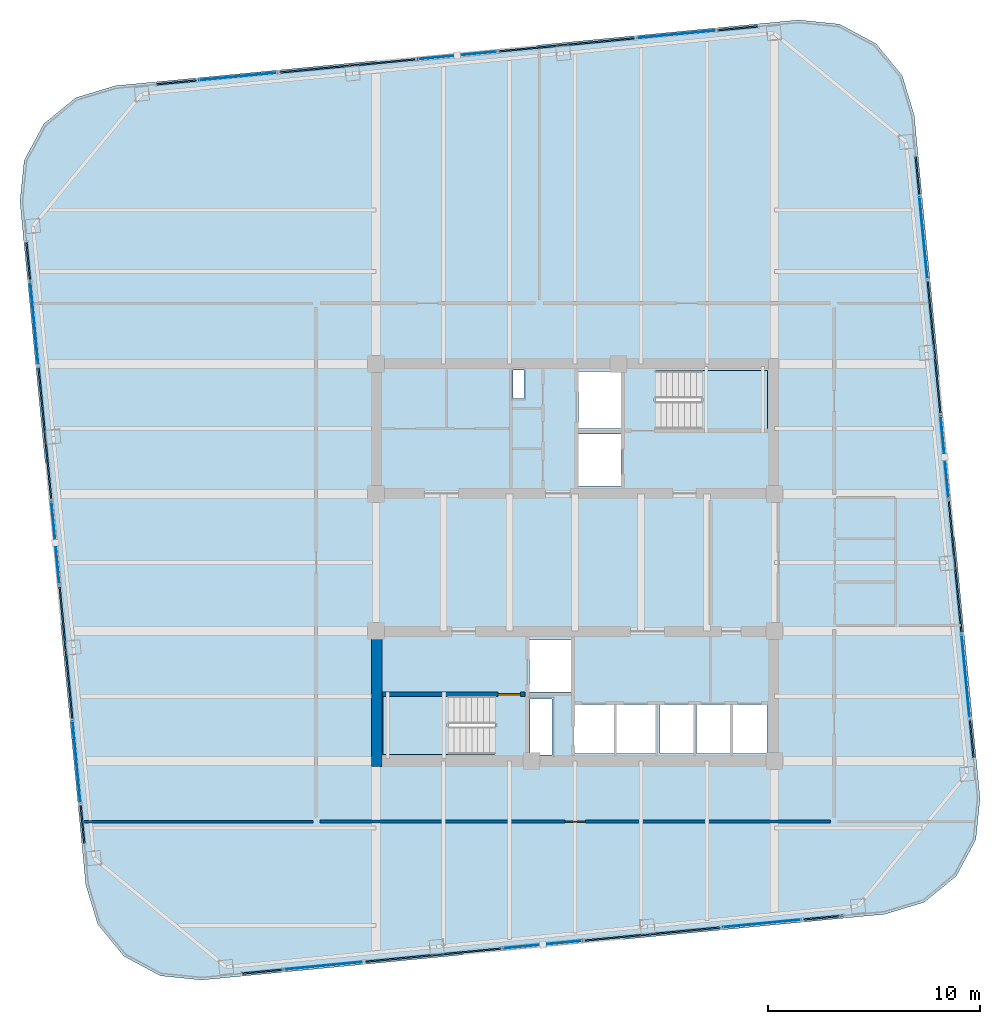
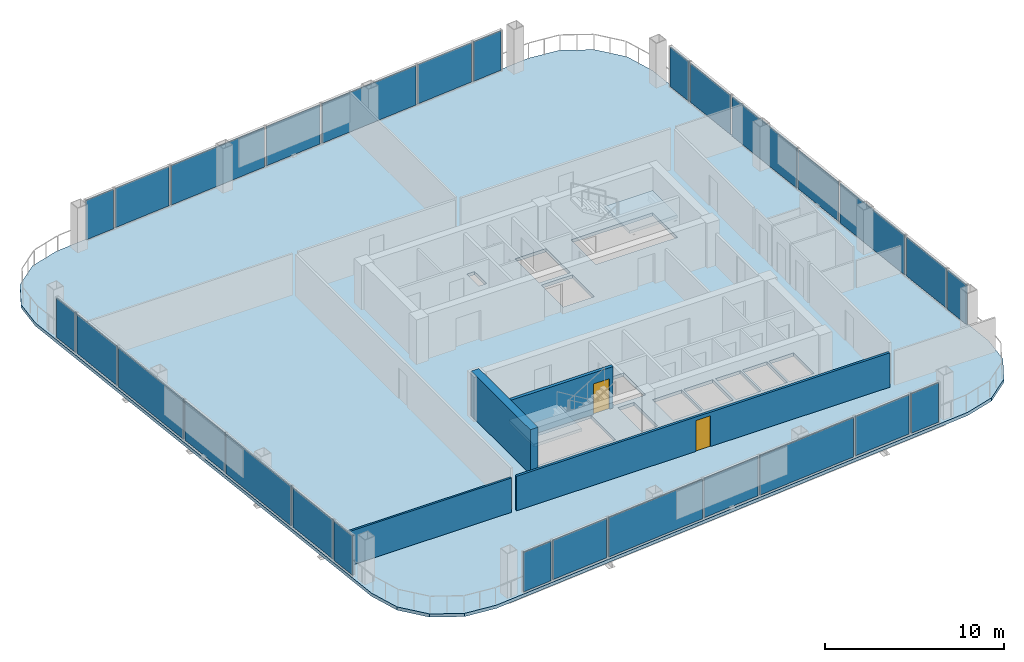
# One storey, part 16 of 21: 28 plates, 4 walls, 3 slabs, 2 doors, 2 openings, 30 elements without a shape of their own.
"""IFC4 building model written with IfcOpenShell, lengths in metres."""

from ifc_helpers import new_model, si_unit, direction, frame, frame_2d, origin, origin_2d, place, context, subcontext, project, spatial, polyline, rectangle, outline, extrude, material, layer, layer_set, type_object, element, fill, aggregate, save


model = new_model("IFC4")

# Units and contexts
model_context = context("Model", 3, precision=1e-05, world=origin(), true_north=direction((0.0, 1.0)))
body_context = subcontext(model_context, "Body", "Model", "MODEL_VIEW")
ifc_project = project(units=[si_unit("LENGTHUNIT", "METRE"), si_unit("AREAUNIT", "SQUARE_METRE"), si_unit("VOLUMEUNIT", "CUBIC_METRE"), si_unit("PLANEANGLEUNIT", "RADIAN"), si_unit("MASSUNIT", "GRAM", prefix="KILO")], contexts=[model_context])

# Site, building, storey
site_placement = place(None, origin())
site = spatial("IfcSite", under=ifc_project, at=site_placement, CompositionType="ELEMENT")
building_placement = place(site_placement, origin())
building = spatial("IfcBuilding", under=site, at=building_placement, Name="Qhalaya Broadcast Tower", CompositionType="ELEMENT")
storey_placement = place(building_placement, frame((0.0, 0.0, 162.25)))
storey = spatial("IfcBuildingStorey", under=building, at=storey_placement, Name="L47", CompositionType="ELEMENT", Elevation=162.25)

# Curtain wall, plate
ifc_material_1 = material(Name="Fired Architectural Terracotta", Category="masonry")
ifc_layer_1 = layer(ifc_material_1, 0.219970703125, Name="Fired Architectural Terracotta")
ifc_layer_set_1 = layer_set([ifc_layer_1], Name="Fired Architectural Terracotta")
curtain_wall_type_1 = type_object("IfcCurtainWallType", Name="Block-Cap Unitised Terracotta Spandrel Wall CW-07", PredefinedType="NOTDEFINED", material=ifc_layer_set_1)
curtain_wall_1_placement = place(storey_placement, origin())
curtain_wall_1 = element("IfcCurtainWall", 1, at=curtain_wall_1_placement, inside=storey, type_object=curtain_wall_type_1, Name="L47 Unitised Curtain Wall L47-CW-S1", PredefinedType="NOTDEFINED")
ifc_layer_2 = layer(ifc_material_1, 0.080078125, Name="Fired Architectural Terracotta")
ifc_layer_set_2 = layer_set([ifc_layer_2], Name="Fired Architectural Terracotta")
plate_type_1 = type_object("IfcPlateType", Name="Insulated Terracotta Spandrel Panel TSP-07", PredefinedType="CURTAIN_PANEL", material=ifc_layer_set_2)
plate_1_placement = place(storey_placement, frame((-14.751708984375, -18.666748046875, 0.0751953125), z_axis=(0.0, 0.0, 1.0), x_axis=(0.995396068977, 0.095847096282, 0.0)))
plate_1 = element("IfcPlate", 2, at=plate_1_placement, type_object=plate_type_1, Name="CW-07 panel 1.1", PredefinedType="CURTAIN_PANEL", context=body_context, shape_type="SweptSolid", body=[
    extrude(rectangle(XDim=1.873046875, YDim=0.080078125, at=origin_2d()), origin(), (0.0, 0.0, 1.0), 2.679931640625),
])
aggregate(curtain_wall_1, [plate_1])

curtain_wall_2_placement = place(storey_placement, origin())
curtain_wall_2 = element("IfcCurtainWall", 3, at=curtain_wall_2_placement, inside=storey, type_object=curtain_wall_type_1, Name="L47 Unitised Curtain Wall L47-CW-S3", PredefinedType="NOTDEFINED")
plate_2_placement = place(storey_placement, frame((-6.683837890625, -17.89013671875, 0.0751953125), z_axis=(0.0, 0.0, 1.0), x_axis=(0.995396395442, 0.095843705796, 0.0)))
plate_2 = element("IfcPlate", 4, at=plate_2_placement, type_object=plate_type_1, Name="CW-07 panel 1.1", PredefinedType="CURTAIN_PANEL", context=body_context, shape_type="SweptSolid", body=[
    extrude(rectangle(XDim=6.39501953125, YDim=0.080078125, at=origin_2d()), origin(), (0.0, 0.0, 1.0), 2.679931640625),
])
aggregate(curtain_wall_2, [plate_2])

curtain_wall_3_placement = place(storey_placement, origin())
curtain_wall_3 = element("IfcCurtainWall", 5, at=curtain_wall_3_placement, inside=storey, type_object=curtain_wall_type_1, Name="L47 Unitised Curtain Wall L47-CW-S5", PredefinedType="NOTDEFINED")
plate_3_placement = place(storey_placement, frame((3.63525390625, -16.896240234375, 0.0751953125), z_axis=(0.0, 0.0, 1.0), x_axis=(0.995396255089, 0.095845163439, 0.0)))
plate_3 = element("IfcPlate", 6, at=plate_3_placement, type_object=plate_type_1, Name="CW-07 panel 1.1", PredefinedType="CURTAIN_PANEL", context=body_context, shape_type="SweptSolid", body=[
    extrude(rectangle(XDim=6.39501953125, YDim=0.080078125, at=origin_2d()), origin(), (0.0, 0.0, 1.0), 2.679931640625),
])
aggregate(curtain_wall_3, [plate_3])

curtain_wall_4_placement = place(storey_placement, origin())
curtain_wall_4 = element("IfcCurtainWall", 7, at=curtain_wall_4_placement, inside=storey, type_object=curtain_wall_type_1, Name="L47 Unitised Curtain Wall L47-CW-S7", PredefinedType="NOTDEFINED")
plate_4_placement = place(storey_placement, frame((11.702880859375, -16.11962890625, 0.0751953125), z_axis=(0.0, 0.0, 1.0), x_axis=(0.995396068977, 0.095847096282, 0.0)))
plate_4 = element("IfcPlate", 8, at=plate_4_placement, type_object=plate_type_1, Name="CW-07 panel 1.1", PredefinedType="CURTAIN_PANEL", context=body_context, shape_type="SweptSolid", body=[
    extrude(rectangle(XDim=1.873046875, YDim=0.080078125, at=origin_2d()), origin(), (0.0, 0.0, 1.0), 2.679931640625),
])
aggregate(curtain_wall_4, [plate_4])

curtain_wall_5_placement = place(storey_placement, origin())
curtain_wall_5 = element("IfcCurtainWall", 9, at=curtain_wall_5_placement, inside=storey, type_object=curtain_wall_type_1, Name="L47 Unitised Curtain Wall L47-CW-E1", PredefinedType="NOTDEFINED")
plate_5_placement = place(storey_placement, frame((18.671142578125, -7.716552734375, 0.0751953125), z_axis=(0.0, 0.0, 1.0), x_axis=(-0.095861254071, 0.995394705616, 0.0)))
plate_5 = element("IfcPlate", 10, at=plate_5_placement, type_object=plate_type_1, Name="CW-07 panel 1.1", PredefinedType="CURTAIN_PANEL", context=body_context, shape_type="SweptSolid", body=[
    extrude(rectangle(XDim=1.782958984375, YDim=0.080078125, at=origin_2d()), origin(), (0.0, 0.0, 1.0), 2.679931640625),
])
aggregate(curtain_wall_5, [plate_5])

curtain_wall_6_placement = place(storey_placement, origin())
curtain_wall_6 = element("IfcCurtainWall", 11, at=curtain_wall_6_placement, inside=storey, type_object=curtain_wall_type_1, Name="L47 Unitised Curtain Wall L47-CW-E3", PredefinedType="NOTDEFINED")
plate_6_placement = place(storey_placement, frame((17.889892578125, 0.39599609375, 0.0751953125), z_axis=(0.0, 0.0, 1.0), x_axis=(-0.095836642528, 0.995397075518, 0.0)))
plate_6 = element("IfcPlate", 12, at=plate_6_placement, type_object=plate_type_1, Name="CW-07 panel 1.1", PredefinedType="CURTAIN_PANEL", context=body_context, shape_type="SweptSolid", body=[
    extrude(rectangle(XDim=6.215087890625, YDim=0.080078125, at=origin_2d()), origin(), (0.0, 0.0, 1.0), 2.679931640625),
])
aggregate(curtain_wall_6, [plate_6])

curtain_wall_7_placement = place(storey_placement, origin())
curtain_wall_7 = element("IfcCurtainWall", 13, at=curtain_wall_7_placement, inside=storey, type_object=curtain_wall_type_1, Name="L47 Unitised Curtain Wall L47-CW-E5", PredefinedType="NOTDEFINED")
plate_7_placement = place(storey_placement, frame((16.896240234375, 10.71533203125, 0.0751953125), z_axis=(0.0, 0.0, 1.0), x_axis=(-0.095853708125, 0.995395432297, 0.0)))
plate_7 = element("IfcPlate", 14, at=plate_7_placement, type_object=plate_type_1, Name="CW-07 panel 1.1", PredefinedType="CURTAIN_PANEL", context=body_context, shape_type="SweptSolid", body=[
    extrude(rectangle(XDim=6.21484375, YDim=0.080078125, at=origin_2d()), origin(), (0.0, 0.0, 1.0), 2.679931640625),
])
aggregate(curtain_wall_7, [plate_7])

curtain_wall_8_placement = place(storey_placement, origin())
curtain_wall_8 = element("IfcCurtainWall", 15, at=curtain_wall_8_placement, inside=storey, type_object=curtain_wall_type_1, Name="L47 Unitised Curtain Wall L47-CW-E7", PredefinedType="NOTDEFINED")
plate_8_placement = place(storey_placement, frame((16.115234375, 18.82763671875, 0.0751953125), z_axis=(0.0, 0.0, 1.0), x_axis=(-0.095861254071, 0.995394705616, 0.0)))
plate_8 = element("IfcPlate", 16, at=plate_8_placement, type_object=plate_type_1, Name="CW-07 panel 1.1", PredefinedType="CURTAIN_PANEL", context=body_context, shape_type="SweptSolid", body=[
    extrude(rectangle(XDim=1.782958984375, YDim=0.080078125, at=origin_2d()), origin(), (0.0, 0.0, 1.0), 2.679931640625),
])
aggregate(curtain_wall_8, [plate_8])

curtain_wall_9_placement = place(storey_placement, origin())
curtain_wall_9 = element("IfcCurtainWall", 17, at=curtain_wall_9_placement, inside=storey, type_object=curtain_wall_type_1, Name="L47 Unitised Curtain Wall L47-CW-N1", PredefinedType="NOTDEFINED")
plate_9_placement = place(storey_placement, frame((7.671630859375, 25.746826171875, 0.0751953125), z_axis=(0.0, 0.0, 1.0), x_axis=(-0.995396068977, -0.095847096282, 0.0)))
plate_9 = element("IfcPlate", 18, at=plate_9_placement, type_object=plate_type_1, Name="CW-07 panel 1.1", PredefinedType="CURTAIN_PANEL", context=body_context, shape_type="SweptSolid", body=[
    extrude(rectangle(XDim=1.873046875, YDim=0.080078125, at=origin_2d()), origin(), (0.0, 0.0, 1.0), 2.679931640625),
])
aggregate(curtain_wall_9, [plate_9])

curtain_wall_10_placement = place(storey_placement, origin())
curtain_wall_10 = element("IfcCurtainWall", 19, at=curtain_wall_10_placement, inside=storey, type_object=curtain_wall_type_1, Name="L47 Unitised Curtain Wall L47-CW-N3", PredefinedType="NOTDEFINED")
plate_10_placement = place(storey_placement, frame((-0.39599609375, 24.969970703125, 0.0751953125), z_axis=(0.0, 0.0, 1.0), x_axis=(-0.995396395442, -0.095843705796, 0.0)))
plate_10 = element("IfcPlate", 20, at=plate_10_placement, type_object=plate_type_1, Name="CW-07 panel 1.1", PredefinedType="CURTAIN_PANEL", context=body_context, shape_type="SweptSolid", body=[
    extrude(rectangle(XDim=6.39501953125, YDim=0.080078125, at=origin_2d()), origin(), (0.0, 0.0, 1.0), 2.679931640625),
])
aggregate(curtain_wall_10, [plate_10])

curtain_wall_11_placement = place(storey_placement, origin())
curtain_wall_11 = element("IfcCurtainWall", 21, at=curtain_wall_11_placement, inside=storey, type_object=curtain_wall_type_1, Name="L47 Unitised Curtain Wall L47-CW-N5", PredefinedType="NOTDEFINED")
plate_11_placement = place(storey_placement, frame((-10.71533203125, 23.976318359375, 0.0751953125), z_axis=(0.0, 0.0, 1.0), x_axis=(-0.995396255089, -0.095845163439, 0.0)))
plate_11 = element("IfcPlate", 22, at=plate_11_placement, type_object=plate_type_1, Name="CW-07 panel 1.1", PredefinedType="CURTAIN_PANEL", context=body_context, shape_type="SweptSolid", body=[
    extrude(rectangle(XDim=6.39501953125, YDim=0.080078125, at=origin_2d()), origin(), (0.0, 0.0, 1.0), 2.679931640625),
])
aggregate(curtain_wall_11, [plate_11])

curtain_wall_12_placement = place(storey_placement, origin())
curtain_wall_12 = element("IfcCurtainWall", 23, at=curtain_wall_12_placement, inside=storey, type_object=curtain_wall_type_1, Name="L47 Unitised Curtain Wall L47-CW-N7", PredefinedType="NOTDEFINED")
plate_12_placement = place(storey_placement, frame((-18.782958984375, 23.199462890625, 0.0751953125), z_axis=(0.0, 0.0, 1.0), x_axis=(-0.995396068977, -0.095847096282, 0.0)))
plate_12 = element("IfcPlate", 24, at=plate_12_placement, type_object=plate_type_1, Name="CW-07 panel 1.1", PredefinedType="CURTAIN_PANEL", context=body_context, shape_type="SweptSolid", body=[
    extrude(rectangle(XDim=1.873046875, YDim=0.080078125, at=origin_2d()), origin(), (0.0, 0.0, 1.0), 2.679931640625),
])
aggregate(curtain_wall_12, [plate_12])

curtain_wall_13_placement = place(storey_placement, origin())
curtain_wall_13 = element("IfcCurtainWall", 25, at=curtain_wall_13_placement, inside=storey, type_object=curtain_wall_type_1, Name="L47 Unitised Curtain Wall L47-CW-W1", PredefinedType="NOTDEFINED")
plate_13_placement = place(storey_placement, frame((-25.751220703125, 14.79638671875, 0.0751953125), z_axis=(0.0, 0.0, 1.0), x_axis=(0.095861254071, -0.995394705616, 0.0)))
plate_13 = element("IfcPlate", 26, at=plate_13_placement, type_object=plate_type_1, Name="CW-07 panel 1.1", PredefinedType="CURTAIN_PANEL", context=body_context, shape_type="SweptSolid", body=[
    extrude(rectangle(XDim=1.782958984375, YDim=0.080078125, at=origin_2d()), origin(), (0.0, 0.0, 1.0), 2.679931640625),
])
aggregate(curtain_wall_13, [plate_13])

curtain_wall_14_placement = place(storey_placement, origin())
curtain_wall_14 = element("IfcCurtainWall", 27, at=curtain_wall_14_placement, inside=storey, type_object=curtain_wall_type_1, Name="L47 Unitised Curtain Wall L47-CW-W3", PredefinedType="NOTDEFINED")
plate_14_placement = place(storey_placement, frame((-24.969970703125, 6.683837890625, 0.0751953125), z_axis=(0.0, 0.0, 1.0), x_axis=(0.095836642528, -0.995397075518, 0.0)))
plate_14 = element("IfcPlate", 28, at=plate_14_placement, type_object=plate_type_1, Name="CW-07 panel 1.1", PredefinedType="CURTAIN_PANEL", context=body_context, shape_type="SweptSolid", body=[
    extrude(rectangle(XDim=6.215087890625, YDim=0.080078125, at=origin_2d()), origin(), (0.0, 0.0, 1.0), 2.679931640625),
])
aggregate(curtain_wall_14, [plate_14])

curtain_wall_15_placement = place(storey_placement, origin())
curtain_wall_15 = element("IfcCurtainWall", 29, at=curtain_wall_15_placement, inside=storey, type_object=curtain_wall_type_1, Name="L47 Unitised Curtain Wall L47-CW-W5", PredefinedType="NOTDEFINED")
plate_15_placement = place(storey_placement, frame((-23.976318359375, -3.63525390625, 0.0751953125), z_axis=(0.0, 0.0, 1.0), x_axis=(0.095853708125, -0.995395432297, 0.0)))
plate_15 = element("IfcPlate", 30, at=plate_15_placement, type_object=plate_type_1, Name="CW-07 panel 1.1", PredefinedType="CURTAIN_PANEL", context=body_context, shape_type="SweptSolid", body=[
    extrude(rectangle(XDim=6.21484375, YDim=0.080078125, at=origin_2d()), origin(), (0.0, 0.0, 1.0), 2.679931640625),
])
aggregate(curtain_wall_15, [plate_15])

curtain_wall_16_placement = place(storey_placement, origin())
curtain_wall_16 = element("IfcCurtainWall", 31, at=curtain_wall_16_placement, inside=storey, type_object=curtain_wall_type_1, Name="L47 Unitised Curtain Wall L47-CW-W7", PredefinedType="NOTDEFINED")
plate_16_placement = place(storey_placement, frame((-23.1953125, -11.747802734375, 0.0751953125), z_axis=(0.0, 0.0, 1.0), x_axis=(0.095861254071, -0.995394705616, 0.0)))
plate_16 = element("IfcPlate", 32, at=plate_16_placement, type_object=plate_type_1, Name="CW-07 panel 1.1", PredefinedType="CURTAIN_PANEL", context=body_context, shape_type="SweptSolid", body=[
    extrude(rectangle(XDim=1.782958984375, YDim=0.080078125, at=origin_2d()), origin(), (0.0, 0.0, 1.0), 2.679931640625),
])
aggregate(curtain_wall_16, [plate_16])

ifc_material_2 = material(Name="Solar-Control Low-E Triple Glazing", Category="glass")
ifc_layer_3 = layer(ifc_material_2, 0.219970703125, Name="Solar-Control Low-E Triple Glazing")
ifc_layer_set_3 = layer_set([ifc_layer_3], Name="Solar-Control Low-E Triple Glazing")
curtain_wall_type_2 = type_object("IfcCurtainWallType", Name="Even-Block 4-Storey Double-Module Curtain Wall CW-03", PredefinedType="NOTDEFINED", material=ifc_layer_set_3)
curtain_wall_17_placement = place(storey_placement, origin())
curtain_wall_17 = element("IfcCurtainWall", 33, at=curtain_wall_17_placement, inside=storey, type_object=curtain_wall_type_2, Name="L47 Unitised Curtain Wall L47-CW-S2", PredefinedType="NOTDEFINED")
ifc_layer_4 = layer(ifc_material_2, 0.035888671875, Name="Solar-Control Low-E Triple Glazing")
ifc_layer_set_4 = layer_set([ifc_layer_4], Name="Solar-Control Low-E Triple Glazing")
plate_type_2 = type_object("IfcPlateType", Name="Solar-Control Curtain Glazing Panel GLP-03", PredefinedType="CURTAIN_PANEL", material=ifc_layer_set_4)
plate_17_placement = place(storey_placement, frame((-11.843017578125, -18.38671875, 0.0751953125), z_axis=(0.0, 0.0, 1.0), x_axis=(0.995396841683, 0.095839071198, 0.0)))
plate_17 = element("IfcPlate", 34, at=plate_17_placement, type_object=plate_type_2, Name="CW-03 panel 1.1", PredefinedType="CURTAIN_PANEL", context=body_context, shape_type="SweptSolid", body=[
    extrude(rectangle(XDim=3.6708984375, YDim=0.035888671875, at=origin_2d()), origin(), (0.0, 0.0, 1.0), 2.679931640625),
])
aggregate(curtain_wall_17, [plate_17])

curtain_wall_18_placement = place(storey_placement, origin())
curtain_wall_18 = element("IfcCurtainWall", 35, at=curtain_wall_18_placement, inside=storey, type_object=curtain_wall_type_2, Name="L47 Unitised Curtain Wall L47-CW-S4", PredefinedType="NOTDEFINED")
plate_18_placement = place(storey_placement, frame((-1.5244140625, -17.393310546875, 0.0751953125), z_axis=(0.0, 0.0, 1.0), x_axis=(0.995394252506, 0.095865958916, 0.0)))
plate_18 = element("IfcPlate", 36, at=plate_18_placement, type_object=plate_type_2, Name="CW-03 panel 1.1", PredefinedType="CURTAIN_PANEL", context=body_context, shape_type="SweptSolid", body=[
    extrude(rectangle(XDim=3.672119140625, YDim=0.035888671875, at=origin_2d()), origin(), (0.0, 0.0, 1.0), 2.679931640625),
])
aggregate(curtain_wall_18, [plate_18])

curtain_wall_19_placement = place(storey_placement, origin())
curtain_wall_19 = element("IfcCurtainWall", 37, at=curtain_wall_19_placement, inside=storey, type_object=curtain_wall_type_2, Name="L47 Unitised Curtain Wall L47-CW-S6", PredefinedType="NOTDEFINED")
plate_19_placement = place(storey_placement, frame((8.79443359375, -16.399658203125, 0.0751953125), z_axis=(0.0, 0.0, 1.0), x_axis=(0.995396841683, 0.095839071198, 0.0)))
plate_19 = element("IfcPlate", 38, at=plate_19_placement, type_object=plate_type_2, Name="CW-03 panel 1.1", PredefinedType="CURTAIN_PANEL", context=body_context, shape_type="SweptSolid", body=[
    extrude(rectangle(XDim=3.6708984375, YDim=0.035888671875, at=origin_2d()), origin(), (0.0, 0.0, 1.0), 2.679931640625),
])
aggregate(curtain_wall_19, [plate_19])

curtain_wall_20_placement = place(storey_placement, origin())
curtain_wall_20 = element("IfcCurtainWall", 39, at=curtain_wall_20_placement, inside=storey, type_object=curtain_wall_type_2, Name="L47 Unitised Curtain Wall L47-CW-E2", PredefinedType="NOTDEFINED")
plate_20_placement = place(storey_placement, frame((18.38671875, -4.76318359375, 0.0751953125), z_axis=(0.0, 0.0, 1.0), x_axis=(-0.095850516284, 0.995395739657, 0.0)))
plate_20 = element("IfcPlate", 40, at=plate_20_placement, type_object=plate_type_2, Name="CW-03 panel 1.1", PredefinedType="CURTAIN_PANEL", context=body_context, shape_type="SweptSolid", body=[
    extrude(rectangle(XDim=3.85107421875, YDim=0.035888671875, at=origin_2d()), origin(), (0.0, 0.0, 1.0), 2.679931640625),
])
aggregate(curtain_wall_20, [plate_20])

curtain_wall_21_placement = place(storey_placement, origin())
curtain_wall_21 = element("IfcCurtainWall", 41, at=curtain_wall_21_placement, inside=storey, type_object=curtain_wall_type_2, Name="L47 Unitised Curtain Wall L47-CW-E4", PredefinedType="NOTDEFINED")
plate_21_placement = place(storey_placement, frame((17.393310546875, 5.5556640625, 0.0751953125), z_axis=(0.0, 0.0, 1.0), x_axis=(-0.095851433835, 0.995395651302, 0.0)))
plate_21 = element("IfcPlate", 42, at=plate_21_placement, type_object=plate_type_2, Name="CW-03 panel 1.1", PredefinedType="CURTAIN_PANEL", context=body_context, shape_type="SweptSolid", body=[
    extrude(rectangle(XDim=3.85205078125, YDim=0.035888671875, at=origin_2d()), origin(), (0.0, 0.0, 1.0), 2.679931640625),
])
aggregate(curtain_wall_21, [plate_21])

curtain_wall_22_placement = place(storey_placement, origin())
curtain_wall_22 = element("IfcCurtainWall", 43, at=curtain_wall_22_placement, inside=storey, type_object=curtain_wall_type_2, Name="L47 Unitised Curtain Wall L47-CW-E6", PredefinedType="NOTDEFINED")
plate_22_placement = place(storey_placement, frame((16.399658203125, 15.87451171875, 0.0751953125), z_axis=(0.0, 0.0, 1.0), x_axis=(-0.095825752198, 0.995398123976, 0.0)))
plate_22 = element("IfcPlate", 44, at=plate_22_placement, type_object=plate_type_2, Name="CW-03 panel 1.1", PredefinedType="CURTAIN_PANEL", context=body_context, shape_type="SweptSolid", body=[
    extrude(rectangle(XDim=3.85107421875, YDim=0.035888671875, at=origin_2d()), origin(), (0.0, 0.0, 1.0), 2.679931640625),
])
aggregate(curtain_wall_22, [plate_22])

curtain_wall_23_placement = place(storey_placement, origin())
curtain_wall_23 = element("IfcCurtainWall", 45, at=curtain_wall_23_placement, inside=storey, type_object=curtain_wall_type_2, Name="L47 Unitised Curtain Wall L47-CW-N2", PredefinedType="NOTDEFINED")
plate_23_placement = place(storey_placement, frame((4.76318359375, 25.466796875, 0.0751953125), z_axis=(0.0, 0.0, 1.0), x_axis=(-0.995396841683, -0.095839071198, 0.0)))
plate_23 = element("IfcPlate", 46, at=plate_23_placement, type_object=plate_type_2, Name="CW-03 panel 1.1", PredefinedType="CURTAIN_PANEL", context=body_context, shape_type="SweptSolid", body=[
    extrude(rectangle(XDim=3.6708984375, YDim=0.035888671875, at=origin_2d()), origin(), (0.0, 0.0, 1.0), 2.679931640625),
])
aggregate(curtain_wall_23, [plate_23])

curtain_wall_24_placement = place(storey_placement, origin())
curtain_wall_24 = element("IfcCurtainWall", 47, at=curtain_wall_24_placement, inside=storey, type_object=curtain_wall_type_2, Name="L47 Unitised Curtain Wall L47-CW-N4", PredefinedType="NOTDEFINED")
plate_24_placement = place(storey_placement, frame((-5.5556640625, 24.47314453125, 0.0751953125), z_axis=(0.0, 0.0, 1.0), x_axis=(-0.995394252506, -0.095865958916, 0.0)))
plate_24 = element("IfcPlate", 48, at=plate_24_placement, type_object=plate_type_2, Name="CW-03 panel 1.1", PredefinedType="CURTAIN_PANEL", context=body_context, shape_type="SweptSolid", body=[
    extrude(rectangle(XDim=3.672119140625, YDim=0.035888671875, at=origin_2d()), origin(), (0.0, 0.0, 1.0), 2.679931640625),
])
aggregate(curtain_wall_24, [plate_24])

curtain_wall_25_placement = place(storey_placement, origin())
curtain_wall_25 = element("IfcCurtainWall", 49, at=curtain_wall_25_placement, inside=storey, type_object=curtain_wall_type_2, Name="L47 Unitised Curtain Wall L47-CW-N6", PredefinedType="NOTDEFINED")
plate_25_placement = place(storey_placement, frame((-15.87451171875, 23.4794921875, 0.0751953125), z_axis=(0.0, 0.0, 1.0), x_axis=(-0.995396841683, -0.095839071198, 0.0)))
plate_25 = element("IfcPlate", 50, at=plate_25_placement, type_object=plate_type_2, Name="CW-03 panel 1.1", PredefinedType="CURTAIN_PANEL", context=body_context, shape_type="SweptSolid", body=[
    extrude(rectangle(XDim=3.6708984375, YDim=0.035888671875, at=origin_2d()), origin(), (0.0, 0.0, 1.0), 2.679931640625),
])
aggregate(curtain_wall_25, [plate_25])

curtain_wall_26_placement = place(storey_placement, origin())
curtain_wall_26 = element("IfcCurtainWall", 51, at=curtain_wall_26_placement, inside=storey, type_object=curtain_wall_type_2, Name="L47 Unitised Curtain Wall L47-CW-W2", PredefinedType="NOTDEFINED")
plate_26_placement = place(storey_placement, frame((-25.466796875, 11.843017578125, 0.0751953125), z_axis=(0.0, 0.0, 1.0), x_axis=(0.095850516284, -0.995395739657, 0.0)))
plate_26 = element("IfcPlate", 52, at=plate_26_placement, type_object=plate_type_2, Name="CW-03 panel 1.1", PredefinedType="CURTAIN_PANEL", context=body_context, shape_type="SweptSolid", body=[
    extrude(rectangle(XDim=3.85107421875, YDim=0.035888671875, at=origin_2d()), origin(), (0.0, 0.0, 1.0), 2.679931640625),
])
aggregate(curtain_wall_26, [plate_26])

curtain_wall_27_placement = place(storey_placement, origin())
curtain_wall_27 = element("IfcCurtainWall", 53, at=curtain_wall_27_placement, inside=storey, type_object=curtain_wall_type_2, Name="L47 Unitised Curtain Wall L47-CW-W4", PredefinedType="NOTDEFINED")
plate_27_placement = place(storey_placement, frame((-24.47314453125, 1.5244140625, 0.0751953125), z_axis=(0.0, 0.0, 1.0), x_axis=(0.095851433835, -0.995395651302, 0.0)))
plate_27 = element("IfcPlate", 54, at=plate_27_placement, type_object=plate_type_2, Name="CW-03 panel 1.1", PredefinedType="CURTAIN_PANEL", context=body_context, shape_type="SweptSolid", body=[
    extrude(rectangle(XDim=3.85205078125, YDim=0.035888671875, at=origin_2d()), origin(), (0.0, 0.0, 1.0), 2.679931640625),
])
aggregate(curtain_wall_27, [plate_27])

curtain_wall_28_placement = place(storey_placement, origin())
curtain_wall_28 = element("IfcCurtainWall", 55, at=curtain_wall_28_placement, inside=storey, type_object=curtain_wall_type_2, Name="L47 Unitised Curtain Wall L47-CW-W6", PredefinedType="NOTDEFINED")
plate_28_placement = place(storey_placement, frame((-23.4794921875, -8.79443359375, 0.0751953125), z_axis=(0.0, 0.0, 1.0), x_axis=(0.095825752198, -0.995398123976, 0.0)))
plate_28 = element("IfcPlate", 56, at=plate_28_placement, type_object=plate_type_2, Name="CW-03 panel 1.1", PredefinedType="CURTAIN_PANEL", context=body_context, shape_type="SweptSolid", body=[
    extrude(rectangle(XDim=3.85107421875, YDim=0.035888671875, at=origin_2d()), origin(), (0.0, 0.0, 1.0), 2.679931640625),
])
aggregate(curtain_wall_28, [plate_28])

# Stair, slab
ifc_material_3 = material(Name="Concrete C40/50", Category="concrete")
stair_type = type_object("IfcStairType", Name="Protected Dogleg Core Stair 3150", PredefinedType="TWO_STRAIGHT_RUN_STAIR", material=ifc_material_3)
stair_1_placement = place(storey_placement, origin())
stair_1 = element("IfcStair", 57, at=stair_1_placement, inside=storey, type_object=stair_type, Name="L47 North Core Exit Stair ST-1", PredefinedType="TWO_STRAIGHT_RUN_STAIR")
ifc_layer_5 = layer(ifc_material_3, 0.199951171875, Name="Concrete C40/50")
ifc_layer_set_5 = layer_set([ifc_layer_5], Name="Concrete C40/50")
slab_type_1 = type_object("IfcSlabType", Name="Stair & Ramp Half-Landing Slab 200", PredefinedType="LANDING", material=ifc_layer_set_5)
slab_1_placement = place(storey_placement, frame((0.0, 0.0, 1.324951171875)))
slab_1 = element("IfcSlab", 58, at=slab_1_placement, type_object=slab_type_1, Name="ST-1 landing 1", PredefinedType="LANDING", context=body_context, shape_type="SweptSolid", body=[
    extrude(outline(polyline([(5.955078125, 6.8798828125), (9.050048828125, 6.8798828125), (9.050048828125, 9.639892578125), (5.955078125, 9.639892578125), (5.955078125, 6.8798828125)])), origin(), (0.0, 0.0, 1.0), 0.199951171875),
])
aggregate(stair_1, [slab_1])

stair_2_placement = place(storey_placement, origin())
stair_2 = element("IfcStair", 59, at=stair_2_placement, inside=storey, type_object=stair_type, Name="L47 South Core Exit Stair ST-2", PredefinedType="TWO_STRAIGHT_RUN_STAIR")
slab_2_placement = place(storey_placement, frame((0.0, 0.0, 1.324951171875)))
slab_2 = element("IfcSlab", 60, at=slab_2_placement, type_object=slab_type_1, Name="ST-2 landing 1", PredefinedType="LANDING", context=body_context, shape_type="SweptSolid", body=[
    extrude(outline(polyline([(-5.955078125, -5.679931640625), (-9.050048828125, -5.679931640625), (-9.050048828125, -8.43994140625), (-5.955078125, -8.43994140625), (-5.955078125, -5.679931640625)])), origin(), (0.0, 0.0, 1.0), 0.199951171875),
])
aggregate(stair_2, [slab_2])

# Slab
ifc_layer_6 = layer(ifc_material_3, 0.219970703125, Name="Concrete C40/50")
ifc_layer_set_6 = layer_set([ifc_layer_6], Name="Concrete C40/50")
slab_type_2 = type_object("IfcSlabType", Name="Tower Composite Floor Slab 220", PredefinedType="FLOOR", material=ifc_layer_set_6)
slab_3_placement = place(storey_placement, frame((0.0, 0.0, -0.219970703125)))
element("IfcSlab", 61, at=slab_3_placement, inside=storey, type_object=slab_type_2, Name="L47 Main Structural Floor Slab", PredefinedType="FLOOR", context=body_context, shape_type="SweptSolid", body=[
    extrude(outline(polyline([(14.562744140625, -15.964599609375), (16.430908203125, -15.402587890625), (17.941650390625, -14.168212890625), (18.864990234375, -12.44970703125), (19.060546875, -10.508544921875), (15.964599609375, 21.642822265625), (15.402587890625, 23.510986328125), (14.168212890625, 25.021728515625), (12.44970703125, 25.945068359375), (10.508544921875, 26.140380859375), (-21.642822265625, 23.044677734375), (-23.510986328125, 22.482421875), (-25.021728515625, 21.248046875), (-25.945068359375, 19.529541015625), (-26.140380859375, 17.58837890625), (-23.044677734375, -14.562744140625), (-22.482421875, -16.430908203125), (-21.248046875, -17.941650390625), (-19.529541015625, -18.864990234375), (-17.58837890625, -19.060546875), (14.562744140625, -15.964599609375)]), holes=[polyline([(3.784912109375, 9.639892578125), (9.050048828125, 9.639892578125), (9.050048828125, 6.8798828125), (3.784912109375, 6.8798828125), (3.784912109375, 9.639892578125)]), polyline([(-3.784912109375, -8.43994140625), (-9.050048828125, -8.43994140625), (-9.050048828125, -5.679931640625), (-3.784912109375, -5.679931640625), (-3.784912109375, -8.43994140625)]), polyline([(0.14990234375, 6.64990234375), (2.14990234375, 6.64990234375), (2.14990234375, 4.199951171875), (0.14990234375, 4.199951171875), (0.14990234375, 6.64990234375)]), polyline([(0.14990234375, 9.60009765625), (2.14990234375, 9.60009765625), (2.14990234375, 6.89990234375), (0.14990234375, 6.89990234375), (0.14990234375, 9.60009765625)]), polyline([(-2.14990234375, -3.050048828125), (-0.14990234375, -3.050048828125), (-0.14990234375, -5.5), (-2.14990234375, -5.5), (-2.14990234375, -3.050048828125)]), polyline([(-0.050048828125, -6.10009765625), (1.830078125, -6.10009765625), (1.830078125, -8.39990234375), (-0.050048828125, -8.39990234375), (-0.050048828125, -6.10009765625)]), polyline([(1.949951171875, -6.10009765625), (3.830078125, -6.10009765625), (3.830078125, -8.39990234375), (1.949951171875, -8.39990234375), (1.949951171875, -6.10009765625)]), polyline([(4.0, -6.10009765625), (5.60009765625, -6.10009765625), (5.60009765625, -8.39990234375), (4.0, -8.39990234375), (4.0, -6.10009765625)]), polyline([(5.719970703125, -6.10009765625), (7.320068359375, -6.10009765625), (7.320068359375, -8.39990234375), (5.719970703125, -8.39990234375), (5.719970703125, -6.10009765625)]), polyline([(7.43994140625, -6.10009765625), (9.0400390625, -6.10009765625), (9.0400390625, -8.39990234375), (7.43994140625, -8.39990234375), (7.43994140625, -6.10009765625)]), polyline([(-2.919921875, 9.659912109375), (-2.419921875, 9.659912109375), (-2.419921875, 8.320068359375), (-2.919921875, 8.320068359375), (-2.919921875, 9.659912109375)]), polyline([(-2.1201171875, -5.820068359375), (-1.080078125, -5.820068359375), (-1.080078125, -8.4599609375), (-2.1201171875, -8.4599609375), (-2.1201171875, -5.820068359375)])]), origin(), (0.0, 0.0, 1.0), 0.219970703125),
])

# Wall, opening, door
ifc_material_4 = material(Name="Gypsum Acoustic Partition")
ifc_layer_7 = layer(ifc_material_4, 0.14990234375, Name="Gypsum Acoustic Partition")
ifc_layer_set_7 = layer_set([ifc_layer_7], Name="Gypsum Acoustic Partition")
wall_type_1 = type_object("IfcWallType", Name="Corridor & Tenancy Acoustic Partition 150", PredefinedType="PARTITIONING", material=ifc_layer_set_7)
wall_1_placement = place(storey_placement, frame((-12.02001953125, -11.60009765625, 0.0), z_axis=(0.0, 0.0, 1.0), x_axis=(1.0, 0.0, 0.0)))
wall_1 = element("IfcWall", 62, at=wall_1_placement, inside=storey, type_object=wall_type_1, Name="L47 Partition Wall W-COR-03", PredefinedType="PARTITIONING", context=body_context, shape_type="SweptSolid", body=[
    extrude(rectangle(XDim=24.0400390625, YDim=0.14990234375, at=frame_2d((12.02001953125, 0.0))), origin(), (0.0, 0.0, 1.0), 2.346923828125),
])
opening_1_placement = place(wall_1_placement, frame((11.544921875, 0.0, 0.0)))
opening_1 = element("IfcOpeningElement", 63, at=opening_1_placement, cuts=wall_1, Name="Opening D10", PredefinedType="OPENING", context=body_context, shape_type="SweptSolid", body=[
    extrude(rectangle(XDim=0.949951171875, YDim=2.10009765625, at=frame_2d((0.47509765625, 1.050048828125))), frame((0.0, 0.0869140625, 0.0), z_axis=(0.0, -1.0, 0.0), x_axis=(1.0, 0.0, 0.0)), (0.0, 0.0, 1.0), 0.173828125),
])
ifc_material_5 = material(Name="Timber Veneer Acoustic Door", Category="wood")
door_type_1 = type_object("IfcDoorType", Name="Cellular Office & Edit Booth Door D10", OperationType="NOTDEFINED", PredefinedType="DOOR", material=ifc_material_5)
door_1_placement = place(opening_1_placement, origin())
door_1 = element("IfcDoor", 64, at=door_1_placement, inside=storey, type_object=door_type_1, Name="L47 Door D-RM03", OperationType="SINGLE_SWING_LEFT", OverallHeight=2.10009765625, OverallWidth=0.949951171875, PredefinedType="DOOR", context=body_context, shape_type="SweptSolid", body=[
    extrude(rectangle(XDim=0.949951171875, YDim=2.10009765625, at=frame_2d((0.47509765625, 1.050048828125))), frame((0.0, 0.02490234375, 0.0), z_axis=(0.0, -1.0, 0.0), x_axis=(1.0, 0.0, 0.0)), (0.0, 0.0, 1.0), 0.050048828125),
])
fill(opening_1, door_1)

ifc_material_6 = material(Name="Concrete C50/60", Category="concrete")
ifc_layer_8 = layer(ifc_material_6, 0.199951171875, Name="Concrete C50/60")
ifc_layer_set_8 = layer_set([ifc_layer_8], Name="Concrete C50/60")
wall_type_2 = type_object("IfcWallType", Name="Load-Bearing Stair Shaft Wall 200", PredefinedType="SHEAR", material=ifc_layer_set_8)
wall_2_placement = place(storey_placement, frame((-9.080078125, -5.60498046875, 0.0), z_axis=(0.0, 0.0, 1.0), x_axis=(1.0, 0.0, 0.0)))
wall_2 = element("IfcWall", 65, at=wall_2_placement, inside=storey, type_object=wall_type_2, Name="L47 Stair Core Shear Wall SCW-ST2", PredefinedType="SHEAR", context=body_context, shape_type="SweptSolid", body=[
    extrude(rectangle(XDim=6.719970703125, YDim=0.199951171875, at=frame_2d((3.35986328125, 0.0))), origin(), (0.0, 0.0, 1.0), 2.830078125),
])
opening_2_placement = place(wall_2_placement, frame((5.449951171875, 0.0, 0.0)))
opening_2 = element("IfcOpeningElement", 66, at=opening_2_placement, cuts=wall_2, Name="Opening D03", PredefinedType="OPENING", context=body_context, shape_type="SweptSolid", body=[
    extrude(rectangle(XDim=1.050048828125, YDim=2.080078125, at=frame_2d((0.52490234375, 1.0400390625))), frame((0.0, 0.112060546875, 0.0), z_axis=(0.0, -1.0, 0.0), x_axis=(1.0, 0.0, 0.0)), (0.0, 0.0, 1.0), 0.223876953125),
])
ifc_material_7 = material(Name="Fire-Rated Steel Door", Category="steel")
door_type_2 = type_object("IfcDoorType", Name="Core Stair Protected Fire Door D03", OperationType="NOTDEFINED", PredefinedType="DOOR", material=ifc_material_7)
door_2_placement = place(opening_2_placement, origin())
door_2 = element("IfcDoor", 67, at=door_2_placement, inside=storey, type_object=door_type_2, Name="L47 Door D-SST2", OperationType="SINGLE_SWING_RIGHT", OverallHeight=2.080078125, OverallWidth=1.050048828125, PredefinedType="DOOR", context=body_context, shape_type="SweptSolid", body=[
    extrude(rectangle(XDim=1.050048828125, YDim=2.080078125, at=frame_2d((0.52490234375, 1.0400390625))), frame((0.0, 0.02490234375, 0.0), z_axis=(0.0, -1.0, 0.0), x_axis=(1.0, 0.0, 0.0)), (0.0, 0.0, 1.0), 0.050048828125),
])
fill(opening_2, door_2)

# Walls
ifc_layer_9 = layer(ifc_material_6, 0.5, Name="Concrete C50/60")
ifc_layer_set_9 = layer_set([ifc_layer_9], Name="Concrete C50/60")
wall_type_3 = type_object("IfcWallType", Name="Mid Split-Core Shear Wall 500", PredefinedType="SHEAR", material=ifc_layer_set_9)
wall_3_placement = place(storey_placement, frame((-9.35009765625, -9.0, 0.0), z_axis=(0.0, 0.0, 1.0), x_axis=(0.0, 1.0, 0.0)))
element("IfcWall", 68, at=wall_3_placement, inside=storey, type_object=wall_type_3, Name="L47 Split-Core Shear Wall CW-SW", PredefinedType="SHEAR", context=body_context, shape_type="SweptSolid", body=[
    extrude(rectangle(XDim=6.60009765625, YDim=0.5, at=frame_2d((3.300048828125, 0.0))), origin(), (0.0, 0.0, 1.0), 3.050048828125),
])
ifc_layer_10 = layer(ifc_material_4, 0.1201171875, Name="Gypsum Acoustic Partition")
ifc_layer_set_10 = layer_set([ifc_layer_10], Name="Gypsum Acoustic Partition")
wall_type_4 = type_object("IfcWallType", Name="Office, Booth & Sanitary Partition 120", PredefinedType="PARTITIONING", material=ifc_layer_set_10)
wall_4_placement = place(storey_placement, frame((-23.20947265625, -11.60009765625, 0.0), z_axis=(0.0, 0.0, 1.0), x_axis=(1.0, 0.0, 0.0)))
element("IfcWall", 69, at=wall_4_placement, inside=storey, type_object=wall_type_4, Name="L47 Partition Wall W-BNDW2", PredefinedType="PARTITIONING", context=body_context, shape_type="SweptSolid", body=[
    extrude(rectangle(XDim=10.869384765625, YDim=0.1201171875, at=frame_2d((5.4345703125, 0.0))), origin(), (0.0, 0.0, 1.0), 2.346923828125),
])

save(model, "model.ifc")
